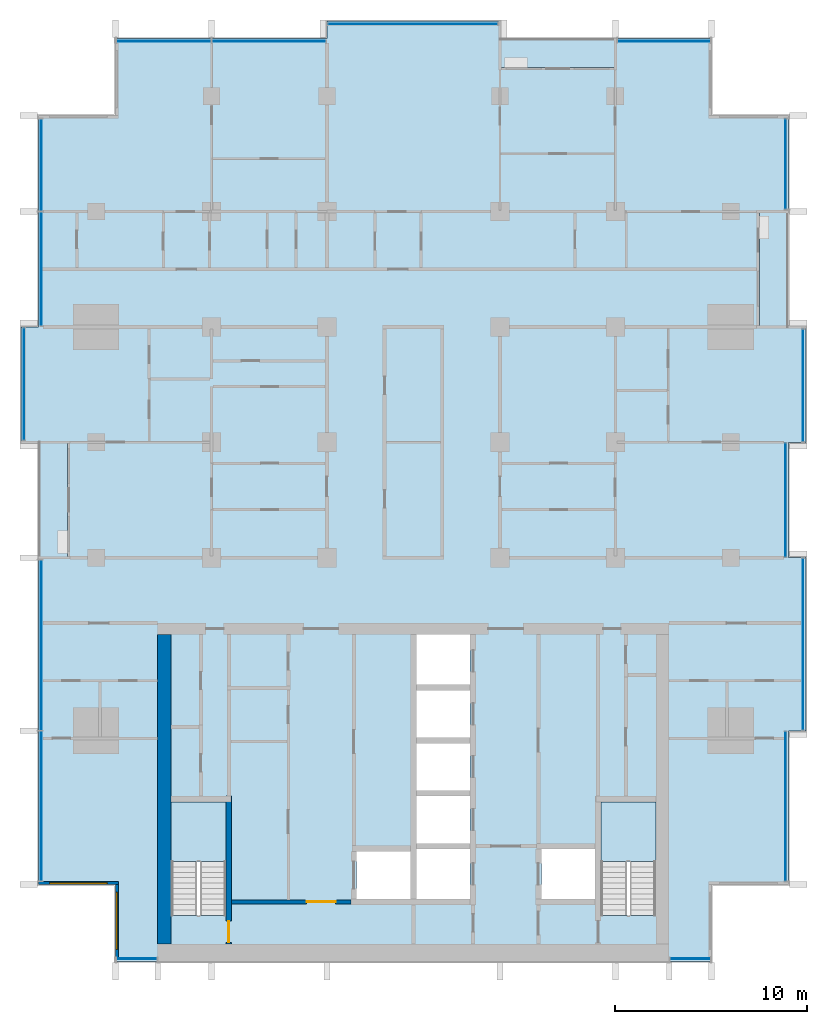
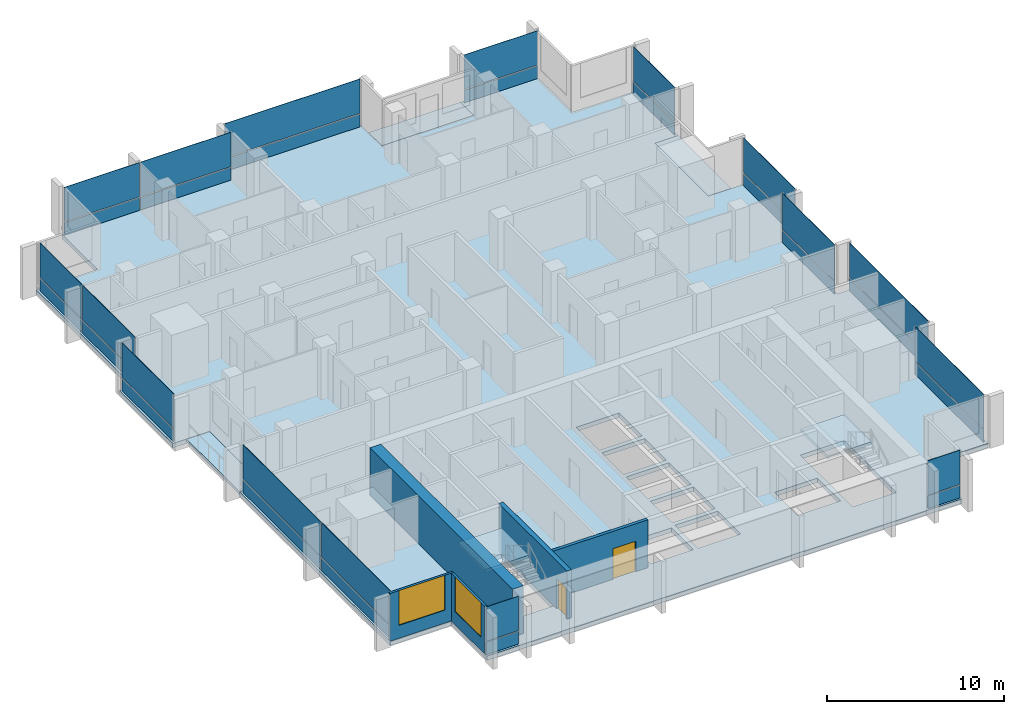
# One storey, part 6 of 17: 32 plates, 6 slabs, 5 walls, 2 doors, 2 windows, 4 openings, 15 elements without a shape of their own.
"""IFC4 building model written with IfcOpenShell, lengths in metres."""

from ifc_helpers import new_model, si_unit, direction, frame, frame_2d, origin, origin_2d, place, context, subcontext, project, spatial, polyline, rectangle, outline, extrude, material, layer, layer_set, type_object, element, fill, aggregate, save


model = new_model("IFC4")

# Units and contexts
model_context = context("Model", 3, precision=1e-05, world=origin(), true_north=direction((0.0, 1.0)))
body_context = subcontext(model_context, "Body", "Model", "MODEL_VIEW")
ifc_project = project(units=[si_unit("LENGTHUNIT", "METRE"), si_unit("AREAUNIT", "SQUARE_METRE"), si_unit("VOLUMEUNIT", "CUBIC_METRE"), si_unit("PLANEANGLEUNIT", "RADIAN"), si_unit("MASSUNIT", "GRAM", prefix="KILO")], contexts=[model_context])

# Site, building, storey
site_placement = place(None, origin())
site = spatial("IfcSite", under=ifc_project, at=site_placement, CompositionType="ELEMENT")
building_placement = place(site_placement, origin())
building = spatial("IfcBuilding", under=site, at=building_placement, Name="Finial Court Residences", CompositionType="ELEMENT")
storey_placement = place(building_placement, frame((0.0, 0.0, 192.5)))
storey = spatial("IfcBuildingStorey", under=building, at=storey_placement, Name="L48", CompositionType="ELEMENT", Elevation=192.5)

# Slabs
ifc_material_1 = material(Name="Concrete C35/45", Category="concrete")
ifc_layer_1 = layer(ifc_material_1, 0.199951171875)
ifc_layer_set_1 = layer_set([ifc_layer_1], Name="Balcony slab, Concrete C35/45 200")
slab_type_1 = type_object("IfcSlabType", Name="Balcony slab, Concrete C35/45 200", PredefinedType="FLOOR", material=ifc_layer_set_1)
slab_1_placement = place(storey_placement, frame((0.0, 0.0, -0.199951171875)))
element("IfcSlab", 1, at=slab_1_placement, inside=storey, type_object=slab_type_1, Name="Balcony L48-N4", PredefinedType="FLOOR", context=body_context, shape_type="SweptSolid", body=[
    extrude(outline(polyline([(10.5, 21.0), (10.5, 22.5), (4.5, 22.5), (4.5, 21.0), (10.5, 21.0)])), origin(), (0.0, 0.0, 1.0), 0.199951171875),
])
slab_2_placement = place(storey_placement, frame((0.0, 0.0, -0.199951171875)))
element("IfcSlab", 2, at=slab_2_placement, inside=storey, type_object=slab_type_1, Name="Balcony L48-E5", PredefinedType="FLOOR", context=body_context, shape_type="SweptSolid", body=[
    extrude(outline(polyline([(19.5, 7.5), (19.5, 13.5), (18.0, 13.5), (18.0, 7.5), (19.5, 7.5)])), origin(), (0.0, 0.0, 1.0), 0.199951171875),
])
slab_3_placement = place(storey_placement, frame((0.0, 0.0, -0.199951171875)))
element("IfcSlab", 3, at=slab_3_placement, inside=storey, type_object=slab_type_1, Name="Balcony L48-W3", PredefinedType="FLOOR", context=body_context, shape_type="SweptSolid", body=[
    extrude(outline(polyline([(-18.0, -4.5), (-18.0, 1.5), (-19.5, 1.5), (-19.5, -4.5), (-18.0, -4.5)])), origin(), (0.0, 0.0, 1.0), 0.199951171875),
])

# Curtain wall, plates
ifc_material_2 = material(Name="Bronze anodised aluminium", Category="aluminium")
curtain_wall_type = type_object("IfcCurtainWallType", Name="Unitised curtain wall, upper zones", PredefinedType="NOTDEFINED", material=ifc_material_2)
curtain_wall_1_placement = place(storey_placement, origin())
curtain_wall_1 = element("IfcCurtainWall", 4, at=curtain_wall_1_placement, inside=storey, type_object=curtain_wall_type, Name="E-L48-CW-N1", PredefinedType="NOTDEFINED")
ifc_layer_2 = layer(ifc_material_2, 0.035888671875)
ifc_layer_set_2 = layer_set([ifc_layer_2], Name="CW2 spandrel panel 36")
plate_type_1 = type_object("IfcPlateType", Name="CW2 spandrel panel 36", PredefinedType="CURTAIN_PANEL", material=ifc_layer_set_2)
plate_1_placement = place(storey_placement, frame((-12.985107421875, 22.35009765625, 0.0), z_axis=(0.0, 0.0, 1.0), x_axis=(1.0, 0.0, 0.0)))
plate_1 = element("IfcPlate", 5, at=plate_1_placement, type_object=plate_type_1, Name="CW2 spandrel 1.1", PredefinedType="CURTAIN_PANEL", context=body_context, shape_type="SweptSolid", body=[
    extrude(rectangle(XDim=4.909912109375, YDim=0.035888671875, at=origin_2d()), origin(), (0.0, 0.0, 1.0), 0.8701171875),
])
plate_2_placement = place(storey_placement, frame((-7.514892578125, 22.35009765625, 0.0), z_axis=(0.0, 0.0, 1.0), x_axis=(1.0, 0.0, 0.0)))
plate_2 = element("IfcPlate", 6, at=plate_2_placement, type_object=plate_type_1, Name="CW2 spandrel 2.1", PredefinedType="CURTAIN_PANEL", context=body_context, shape_type="SweptSolid", body=[
    extrude(rectangle(XDim=5.909912109375, YDim=0.035888671875, at=origin_2d()), origin(), (0.0, 0.0, 1.0), 0.8701171875),
])

# Curtain wall, plate
curtain_wall_2_placement = place(storey_placement, origin())
curtain_wall_2 = element("IfcCurtainWall", 7, at=curtain_wall_2_placement, inside=storey, type_object=curtain_wall_type, Name="E-L48-CW-N2", PredefinedType="NOTDEFINED")
plate_3_placement = place(storey_placement, frame((-0.03759765625, 23.25, 0.0), z_axis=(0.0, 0.0, 1.0), x_axis=(1.0, 0.0, 0.0)))
plate_3 = element("IfcPlate", 8, at=plate_3_placement, type_object=plate_type_1, Name="CW2 spandrel 1.1", PredefinedType="CURTAIN_PANEL", context=body_context, shape_type="SweptSolid", body=[
    extrude(rectangle(XDim=8.804931640625, YDim=0.035888671875, at=origin_2d()), origin(), (0.0, 0.0, 1.0), 0.8701171875),
])

curtain_wall_3_placement = place(storey_placement, origin())
curtain_wall_3 = element("IfcCurtainWall", 9, at=curtain_wall_3_placement, inside=storey, type_object=curtain_wall_type, Name="E-L48-CW-N3", PredefinedType="NOTDEFINED")
plate_4_placement = place(storey_placement, frame((13.03759765625, 22.35009765625, 0.0), z_axis=(0.0, 0.0, 1.0), x_axis=(1.0, 0.0, 0.0)))
plate_4 = element("IfcPlate", 10, at=plate_4_placement, type_object=plate_type_1, Name="CW2 spandrel 1.1", PredefinedType="CURTAIN_PANEL", context=body_context, shape_type="SweptSolid", body=[
    extrude(rectangle(XDim=4.804931640625, YDim=0.035888671875, at=origin_2d()), origin(), (0.0, 0.0, 1.0), 0.8701171875),
])

curtain_wall_4_placement = place(storey_placement, origin())
curtain_wall_4 = element("IfcCurtainWall", 11, at=curtain_wall_4_placement, inside=storey, type_object=curtain_wall_type, Name="E-L48-CW-E4", PredefinedType="NOTDEFINED")
plate_5_placement = place(storey_placement, frame((19.35009765625, -17.425048828125, 0.0), z_axis=(0.0, 0.0, 1.0), x_axis=(0.0, 1.0, 0.0)))
plate_5 = element("IfcPlate", 12, at=plate_5_placement, type_object=plate_type_1, Name="CW2 spandrel 1.1", PredefinedType="CURTAIN_PANEL", context=body_context, shape_type="SweptSolid", body=[
    extrude(rectangle(XDim=7.72998046875, YDim=0.035888671875, at=origin_2d()), origin(), (0.0, 0.0, 1.0), 0.8701171875),
])

curtain_wall_5_placement = place(storey_placement, origin())
curtain_wall_5 = element("IfcCurtainWall", 13, at=curtain_wall_5_placement, inside=storey, type_object=curtain_wall_type, Name="E-L48-CW-E5", PredefinedType="NOTDEFINED")
plate_6_placement = place(storey_placement, frame((20.25, -9.0, 0.0), z_axis=(0.0, 0.0, 1.0), x_axis=(0.0, 1.0, 0.0)))
plate_6 = element("IfcPlate", 14, at=plate_6_placement, type_object=plate_type_1, Name="CW2 spandrel 1.1", PredefinedType="CURTAIN_PANEL", context=body_context, shape_type="SweptSolid", body=[
    extrude(rectangle(XDim=8.8798828125, YDim=0.035888671875, at=origin_2d()), origin(), (0.0, 0.0, 1.0), 0.8701171875),
])

curtain_wall_6_placement = place(storey_placement, origin())
curtain_wall_6 = element("IfcCurtainWall", 15, at=curtain_wall_6_placement, inside=storey, type_object=curtain_wall_type, Name="E-L48-CW-E6", PredefinedType="NOTDEFINED")
plate_7_placement = place(storey_placement, frame((19.35009765625, -1.5, 0.0), z_axis=(0.0, 0.0, 1.0), x_axis=(0.0, 1.0, 0.0)))
plate_7 = element("IfcPlate", 16, at=plate_7_placement, type_object=plate_type_1, Name="CW2 spandrel 1.1", PredefinedType="CURTAIN_PANEL", context=body_context, shape_type="SweptSolid", body=[
    extrude(rectangle(XDim=5.8798828125, YDim=0.035888671875, at=origin_2d()), origin(), (0.0, 0.0, 1.0), 0.8701171875),
])

curtain_wall_7_placement = place(storey_placement, origin())
curtain_wall_7 = element("IfcCurtainWall", 17, at=curtain_wall_7_placement, inside=storey, type_object=curtain_wall_type, Name="E-L48-CW-E7", PredefinedType="NOTDEFINED")
plate_8_placement = place(storey_placement, frame((20.25, 4.46240234375, 0.0), z_axis=(0.0, 0.0, 1.0), x_axis=(0.0, 1.0, 0.0)))
plate_8 = element("IfcPlate", 18, at=plate_8_placement, type_object=plate_type_1, Name="CW2 spandrel 1.1", PredefinedType="CURTAIN_PANEL", context=body_context, shape_type="SweptSolid", body=[
    extrude(rectangle(XDim=5.804931640625, YDim=0.035888671875, at=origin_2d()), origin(), (0.0, 0.0, 1.0), 0.8701171875),
])

curtain_wall_8_placement = place(storey_placement, origin())
curtain_wall_8 = element("IfcCurtainWall", 19, at=curtain_wall_8_placement, inside=storey, type_object=curtain_wall_type, Name="E-L48-CW-E8", PredefinedType="NOTDEFINED")
plate_9_placement = place(storey_placement, frame((19.35009765625, 15.96240234375, 0.0), z_axis=(0.0, 0.0, 1.0), x_axis=(0.0, 1.0, 0.0)))
plate_9 = element("IfcPlate", 20, at=plate_9_placement, type_object=plate_type_1, Name="CW2 spandrel 1.1", PredefinedType="CURTAIN_PANEL", context=body_context, shape_type="SweptSolid", body=[
    extrude(rectangle(XDim=4.655029296875, YDim=0.035888671875, at=origin_2d()), origin(), (0.0, 0.0, 1.0), 0.8701171875),
])

curtain_wall_9_placement = place(storey_placement, origin())
curtain_wall_9 = element("IfcCurtainWall", 21, at=curtain_wall_9_placement, inside=storey, type_object=curtain_wall_type, Name="E-L48-CW-S9", PredefinedType="NOTDEFINED")
plate_10_placement = place(storey_placement, frame((-14.39990234375, -25.35009765625, 0.0), z_axis=(0.0, 0.0, 1.0), x_axis=(1.0, 0.0, 0.0)))
plate_10 = element("IfcPlate", 22, at=plate_10_placement, type_object=plate_type_1, Name="CW2 spandrel 1.1", PredefinedType="CURTAIN_PANEL", context=body_context, shape_type="SweptSolid", body=[
    extrude(rectangle(XDim=2.080078125, YDim=0.035888671875, at=origin_2d()), origin(), (0.0, 0.0, 1.0), 0.8701171875),
])

curtain_wall_10_placement = place(storey_placement, origin())
curtain_wall_10 = element("IfcCurtainWall", 23, at=curtain_wall_10_placement, inside=storey, type_object=curtain_wall_type, Name="E-L48-CW-S10", PredefinedType="NOTDEFINED")
plate_11_placement = place(storey_placement, frame((14.39990234375, -25.35009765625, 0.0), z_axis=(0.0, 0.0, 1.0), x_axis=(1.0, 0.0, 0.0)))
plate_11 = element("IfcPlate", 24, at=plate_11_placement, type_object=plate_type_1, Name="CW2 spandrel 1.1", PredefinedType="CURTAIN_PANEL", context=body_context, shape_type="SweptSolid", body=[
    extrude(rectangle(XDim=2.080078125, YDim=0.035888671875, at=origin_2d()), origin(), (0.0, 0.0, 1.0), 0.8701171875),
])

# Curtain wall, plates
curtain_wall_11_placement = place(storey_placement, origin())
curtain_wall_11 = element("IfcCurtainWall", 25, at=curtain_wall_11_placement, inside=storey, type_object=curtain_wall_type, Name="E-L48-CW-W11", PredefinedType="NOTDEFINED")
plate_12_placement = place(storey_placement, frame((-19.35009765625, -17.409912109375, 0.0), z_axis=(0.0, 0.0, 1.0), x_axis=(0.0, 1.0, 0.0)))
plate_12 = element("IfcPlate", 26, at=plate_12_placement, type_object=plate_type_1, Name="CW2 spandrel 1.1", PredefinedType="CURTAIN_PANEL", context=body_context, shape_type="SweptSolid", body=[
    extrude(rectangle(XDim=7.760009765625, YDim=0.035888671875, at=origin_2d()), origin(), (0.0, 0.0, 1.0), 0.8701171875),
])
plate_13_placement = place(storey_placement, frame((-19.35009765625, -9.052490234375, 0.0), z_axis=(0.0, 0.0, 1.0), x_axis=(0.0, 1.0, 0.0)))
plate_13 = element("IfcPlate", 27, at=plate_13_placement, type_object=plate_type_1, Name="CW2 spandrel 2.1", PredefinedType="CURTAIN_PANEL", context=body_context, shape_type="SweptSolid", body=[
    extrude(rectangle(XDim=8.8349609375, YDim=0.035888671875, at=origin_2d()), origin(), (0.0, 0.0, 1.0), 0.8701171875),
])

# Curtain wall, plate
curtain_wall_12_placement = place(storey_placement, origin())
curtain_wall_12 = element("IfcCurtainWall", 28, at=curtain_wall_12_placement, inside=storey, type_object=curtain_wall_type, Name="E-L48-CW-W12", PredefinedType="NOTDEFINED")
plate_14_placement = place(storey_placement, frame((-20.25, 4.53759765625, 0.0), z_axis=(0.0, 0.0, 1.0), x_axis=(0.0, 1.0, 0.0)))
plate_14 = element("IfcPlate", 29, at=plate_14_placement, type_object=plate_type_1, Name="CW2 spandrel 1.1", PredefinedType="CURTAIN_PANEL", context=body_context, shape_type="SweptSolid", body=[
    extrude(rectangle(XDim=5.804931640625, YDim=0.035888671875, at=origin_2d()), origin(), (0.0, 0.0, 1.0), 0.8701171875),
])

# Curtain wall, plates
curtain_wall_13_placement = place(storey_placement, origin())
curtain_wall_13 = element("IfcCurtainWall", 30, at=curtain_wall_13_placement, inside=storey, type_object=curtain_wall_type, Name="E-L48-CW-W13", PredefinedType="NOTDEFINED")
plate_15_placement = place(storey_placement, frame((-19.35009765625, 10.514892578125, 0.0), z_axis=(0.0, 0.0, 1.0), x_axis=(0.0, 1.0, 0.0)))
plate_15 = element("IfcPlate", 31, at=plate_15_placement, type_object=plate_type_1, Name="CW2 spandrel 1.1", PredefinedType="CURTAIN_PANEL", context=body_context, shape_type="SweptSolid", body=[
    extrude(rectangle(XDim=5.909912109375, YDim=0.035888671875, at=origin_2d()), origin(), (0.0, 0.0, 1.0), 0.8701171875),
])
plate_16_placement = place(storey_placement, frame((-19.35009765625, 15.909912109375, 0.0), z_axis=(0.0, 0.0, 1.0), x_axis=(0.0, 1.0, 0.0)))
plate_16 = element("IfcPlate", 32, at=plate_16_placement, type_object=plate_type_1, Name="CW2 spandrel 2.1", PredefinedType="CURTAIN_PANEL", context=body_context, shape_type="SweptSolid", body=[
    extrude(rectangle(XDim=4.760009765625, YDim=0.035888671875, at=origin_2d()), origin(), (0.0, 0.0, 1.0), 0.8701171875),
])

# Plate
ifc_material_3 = material(Name="Clear low-e glass", Category="glass")
ifc_layer_3 = layer(ifc_material_3, 0.030029296875)
ifc_layer_set_3 = layer_set([ifc_layer_3], Name="CW2 vision glass 30")
plate_type_2 = type_object("IfcPlateType", Name="CW2 vision glass 30", PredefinedType="CURTAIN_PANEL", material=ifc_layer_set_3)
plate_17_placement = place(storey_placement, frame((-12.985107421875, 22.35009765625, 0.929931640625), z_axis=(0.0, 0.0, 1.0), x_axis=(1.0, 0.0, 0.0)))
plate_17 = element("IfcPlate", 33, at=plate_17_placement, type_object=plate_type_2, Name="CW2 glass 1.2", PredefinedType="CURTAIN_PANEL", context=body_context, shape_type="SweptSolid", body=[
    extrude(rectangle(XDim=4.909912109375, YDim=0.030029296875, at=origin_2d()), origin(), (0.0, 0.0, 1.0), 2.3701171875),
])

plate_18_placement = place(storey_placement, frame((-7.514892578125, 22.35009765625, 0.929931640625), z_axis=(0.0, 0.0, 1.0), x_axis=(1.0, 0.0, 0.0)))
plate_18 = element("IfcPlate", 34, at=plate_18_placement, type_object=plate_type_2, Name="CW2 glass 2.2", PredefinedType="CURTAIN_PANEL", context=body_context, shape_type="SweptSolid", body=[
    extrude(rectangle(XDim=5.909912109375, YDim=0.030029296875, at=origin_2d()), origin(), (0.0, 0.0, 1.0), 2.3701171875),
])

aggregate(curtain_wall_1, [plate_1, plate_17, plate_2, plate_18])

plate_19_placement = place(storey_placement, frame((-0.03759765625, 23.25, 0.929931640625), z_axis=(0.0, 0.0, 1.0), x_axis=(1.0, 0.0, 0.0)))
plate_19 = element("IfcPlate", 35, at=plate_19_placement, type_object=plate_type_2, Name="CW2 glass 1.2", PredefinedType="CURTAIN_PANEL", context=body_context, shape_type="SweptSolid", body=[
    extrude(rectangle(XDim=8.804931640625, YDim=0.030029296875, at=origin_2d()), origin(), (0.0, 0.0, 1.0), 2.3701171875),
])

aggregate(curtain_wall_2, [plate_3, plate_19])

plate_20_placement = place(storey_placement, frame((13.03759765625, 22.35009765625, 0.929931640625), z_axis=(0.0, 0.0, 1.0), x_axis=(1.0, 0.0, 0.0)))
plate_20 = element("IfcPlate", 36, at=plate_20_placement, type_object=plate_type_2, Name="CW2 glass 1.2", PredefinedType="CURTAIN_PANEL", context=body_context, shape_type="SweptSolid", body=[
    extrude(rectangle(XDim=4.804931640625, YDim=0.030029296875, at=origin_2d()), origin(), (0.0, 0.0, 1.0), 2.3701171875),
])

aggregate(curtain_wall_3, [plate_4, plate_20])

plate_21_placement = place(storey_placement, frame((19.35009765625, -17.425048828125, 0.929931640625), z_axis=(0.0, 0.0, 1.0), x_axis=(0.0, 1.0, 0.0)))
plate_21 = element("IfcPlate", 37, at=plate_21_placement, type_object=plate_type_2, Name="CW2 glass 1.2", PredefinedType="CURTAIN_PANEL", context=body_context, shape_type="SweptSolid", body=[
    extrude(rectangle(XDim=7.72998046875, YDim=0.030029296875, at=origin_2d()), origin(), (0.0, 0.0, 1.0), 2.3701171875),
])

aggregate(curtain_wall_4, [plate_5, plate_21])

plate_22_placement = place(storey_placement, frame((20.25, -9.0, 0.929931640625), z_axis=(0.0, 0.0, 1.0), x_axis=(0.0, 1.0, 0.0)))
plate_22 = element("IfcPlate", 38, at=plate_22_placement, type_object=plate_type_2, Name="CW2 glass 1.2", PredefinedType="CURTAIN_PANEL", context=body_context, shape_type="SweptSolid", body=[
    extrude(rectangle(XDim=8.8798828125, YDim=0.030029296875, at=origin_2d()), origin(), (0.0, 0.0, 1.0), 2.3701171875),
])

aggregate(curtain_wall_5, [plate_6, plate_22])

plate_23_placement = place(storey_placement, frame((19.35009765625, -1.5, 0.93017578125), z_axis=(0.0, 0.0, 1.0), x_axis=(0.0, 1.0, 0.0)))
plate_23 = element("IfcPlate", 39, at=plate_23_placement, type_object=plate_type_2, Name="CW2 glass 1.2", PredefinedType="CURTAIN_PANEL", context=body_context, shape_type="SweptSolid", body=[
    extrude(rectangle(XDim=5.8798828125, YDim=0.030029296875, at=origin_2d()), origin(), (0.0, 0.0, 1.0), 2.469970703125),
])

aggregate(curtain_wall_6, [plate_7, plate_23])

plate_24_placement = place(storey_placement, frame((20.25, 4.46240234375, 0.929931640625), z_axis=(0.0, 0.0, 1.0), x_axis=(0.0, 1.0, 0.0)))
plate_24 = element("IfcPlate", 40, at=plate_24_placement, type_object=plate_type_2, Name="CW2 glass 1.2", PredefinedType="CURTAIN_PANEL", context=body_context, shape_type="SweptSolid", body=[
    extrude(rectangle(XDim=5.804931640625, YDim=0.030029296875, at=origin_2d()), origin(), (0.0, 0.0, 1.0), 2.3701171875),
])

aggregate(curtain_wall_7, [plate_8, plate_24])

plate_25_placement = place(storey_placement, frame((19.35009765625, 15.96240234375, 0.929931640625), z_axis=(0.0, 0.0, 1.0), x_axis=(0.0, 1.0, 0.0)))
plate_25 = element("IfcPlate", 41, at=plate_25_placement, type_object=plate_type_2, Name="CW2 glass 1.2", PredefinedType="CURTAIN_PANEL", context=body_context, shape_type="SweptSolid", body=[
    extrude(rectangle(XDim=4.655029296875, YDim=0.030029296875, at=origin_2d()), origin(), (0.0, 0.0, 1.0), 2.3701171875),
])

aggregate(curtain_wall_8, [plate_9, plate_25])

plate_26_placement = place(storey_placement, frame((-14.39990234375, -25.35009765625, 0.929931640625), z_axis=(0.0, 0.0, 1.0), x_axis=(1.0, 0.0, 0.0)))
plate_26 = element("IfcPlate", 42, at=plate_26_placement, type_object=plate_type_2, Name="CW2 glass 1.2", PredefinedType="CURTAIN_PANEL", context=body_context, shape_type="SweptSolid", body=[
    extrude(rectangle(XDim=2.080078125, YDim=0.030029296875, at=origin_2d()), origin(), (0.0, 0.0, 1.0), 2.3701171875),
])

aggregate(curtain_wall_9, [plate_10, plate_26])

plate_27_placement = place(storey_placement, frame((14.39990234375, -25.35009765625, 0.929931640625), z_axis=(0.0, 0.0, 1.0), x_axis=(1.0, 0.0, 0.0)))
plate_27 = element("IfcPlate", 43, at=plate_27_placement, type_object=plate_type_2, Name="CW2 glass 1.2", PredefinedType="CURTAIN_PANEL", context=body_context, shape_type="SweptSolid", body=[
    extrude(rectangle(XDim=2.080078125, YDim=0.030029296875, at=origin_2d()), origin(), (0.0, 0.0, 1.0), 2.3701171875),
])

aggregate(curtain_wall_10, [plate_11, plate_27])

plate_28_placement = place(storey_placement, frame((-19.35009765625, -17.409912109375, 0.929931640625), z_axis=(0.0, 0.0, 1.0), x_axis=(0.0, 1.0, 0.0)))
plate_28 = element("IfcPlate", 44, at=plate_28_placement, type_object=plate_type_2, Name="CW2 glass 1.2", PredefinedType="CURTAIN_PANEL", context=body_context, shape_type="SweptSolid", body=[
    extrude(rectangle(XDim=7.760009765625, YDim=0.030029296875, at=origin_2d()), origin(), (0.0, 0.0, 1.0), 2.3701171875),
])

plate_29_placement = place(storey_placement, frame((-19.35009765625, -9.052490234375, 0.929931640625), z_axis=(0.0, 0.0, 1.0), x_axis=(0.0, 1.0, 0.0)))
plate_29 = element("IfcPlate", 45, at=plate_29_placement, type_object=plate_type_2, Name="CW2 glass 2.2", PredefinedType="CURTAIN_PANEL", context=body_context, shape_type="SweptSolid", body=[
    extrude(rectangle(XDim=8.8349609375, YDim=0.030029296875, at=origin_2d()), origin(), (0.0, 0.0, 1.0), 2.3701171875),
])

aggregate(curtain_wall_11, [plate_12, plate_28, plate_13, plate_29])

plate_30_placement = place(storey_placement, frame((-20.25, 4.53759765625, 0.929931640625), z_axis=(0.0, 0.0, 1.0), x_axis=(0.0, 1.0, 0.0)))
plate_30 = element("IfcPlate", 46, at=plate_30_placement, type_object=plate_type_2, Name="CW2 glass 1.2", PredefinedType="CURTAIN_PANEL", context=body_context, shape_type="SweptSolid", body=[
    extrude(rectangle(XDim=5.804931640625, YDim=0.030029296875, at=origin_2d()), origin(), (0.0, 0.0, 1.0), 2.3701171875),
])

aggregate(curtain_wall_12, [plate_14, plate_30])

plate_31_placement = place(storey_placement, frame((-19.35009765625, 10.514892578125, 0.929931640625), z_axis=(0.0, 0.0, 1.0), x_axis=(0.0, 1.0, 0.0)))
plate_31 = element("IfcPlate", 47, at=plate_31_placement, type_object=plate_type_2, Name="CW2 glass 1.2", PredefinedType="CURTAIN_PANEL", context=body_context, shape_type="SweptSolid", body=[
    extrude(rectangle(XDim=5.909912109375, YDim=0.030029296875, at=origin_2d()), origin(), (0.0, 0.0, 1.0), 2.3701171875),
])

plate_32_placement = place(storey_placement, frame((-19.35009765625, 15.909912109375, 0.929931640625), z_axis=(0.0, 0.0, 1.0), x_axis=(0.0, 1.0, 0.0)))
plate_32 = element("IfcPlate", 48, at=plate_32_placement, type_object=plate_type_2, Name="CW2 glass 2.2", PredefinedType="CURTAIN_PANEL", context=body_context, shape_type="SweptSolid", body=[
    extrude(rectangle(XDim=4.760009765625, YDim=0.030029296875, at=origin_2d()), origin(), (0.0, 0.0, 1.0), 2.3701171875),
])

aggregate(curtain_wall_13, [plate_15, plate_31, plate_16, plate_32])

# Stair, slab
ifc_material_4 = material(Name="Concrete C50/60", Category="concrete")
stair_type = type_object("IfcStairType", Name="Exit stair 22 risers of 163.6 mm", PredefinedType="HALF_TURN_STAIR", material=ifc_material_4)
stair_1_placement = place(storey_placement, origin())
stair_1 = element("IfcStair", 49, at=stair_1_placement, inside=storey, type_object=stair_type, Name="L48 Exit stair ST-1", PredefinedType="HALF_TURN_STAIR")
ifc_layer_4 = layer(ifc_material_4, 0.199951171875)
ifc_layer_set_4 = layer_set([ifc_layer_4], Name="Exit stair landing")
slab_type_2 = type_object("IfcSlabType", Name="Exit stair landing", PredefinedType="LANDING", material=ifc_layer_set_4)
slab_4_placement = place(storey_placement, frame((0.0, 0.0, 1.60009765625)))
slab_4 = element("IfcSlab", 50, at=slab_4_placement, type_object=slab_type_2, Name="ST-1 landing 1", PredefinedType="LANDING", context=body_context, shape_type="SweptSolid", body=[
    extrude(outline(polyline([(-9.75, -20.300048828125), (-9.75, -17.199951171875), (-12.60009765625, -17.199951171875), (-12.60009765625, -20.300048828125), (-9.75, -20.300048828125)])), origin(), (0.0, 0.0, 1.0), 0.199951171875),
])
aggregate(stair_1, [slab_4])

stair_2_placement = place(storey_placement, origin())
stair_2 = element("IfcStair", 51, at=stair_2_placement, inside=storey, type_object=stair_type, Name="L48 Exit stair ST-2", PredefinedType="HALF_TURN_STAIR")
slab_5_placement = place(storey_placement, frame((0.0, 0.0, 1.60009765625)))
slab_5 = element("IfcSlab", 52, at=slab_5_placement, type_object=slab_type_2, Name="ST-2 landing 1", PredefinedType="LANDING", context=body_context, shape_type="SweptSolid", body=[
    extrude(outline(polyline([(12.60009765625, -20.300048828125), (12.60009765625, -17.199951171875), (9.75, -17.199951171875), (9.75, -20.300048828125), (12.60009765625, -20.300048828125)])), origin(), (0.0, 0.0, 1.0), 0.199951171875),
])
aggregate(stair_2, [slab_5])

# Slab
ifc_material_5 = material(Name="Concrete C40/50", Category="concrete")
ifc_layer_5 = layer(ifc_material_5, 0.300048828125)
ifc_layer_set_5 = layer_set([ifc_layer_5], Name="Flat plate slab 300 Concrete C40/50")
slab_type_3 = type_object("IfcSlabType", Name="Flat plate slab 300 Concrete C40/50", PredefinedType="FLOOR", material=ifc_layer_set_5)
slab_6_placement = place(storey_placement, frame((0.0, 0.0, -0.300048828125)))
element("IfcSlab", 53, at=slab_6_placement, inside=storey, type_object=slab_type_3, Name="S:SLAB:L48", PredefinedType="FLOOR", context=body_context, shape_type="SweptSolid", body=[
    extrude(outline(polyline([(19.5, -21.5), (15.5, -21.5), (15.5, -25.5), (-15.5, -25.5), (-15.5, -21.5), (-19.5, -21.5), (-19.5, -4.5), (-18.0, -4.5), (-18.0, 1.5), (-19.5, 1.5), (-20.39990234375, 1.5), (-20.39990234375, 7.5), (-19.5, 7.5), (-19.5, 18.5), (-15.5, 18.5), (-15.5, 22.5), (-4.5, 22.5), (-4.5, 23.39990234375), (4.5, 23.39990234375), (4.5, 22.5), (4.5, 21.0), (10.5, 21.0), (10.5, 22.5), (15.5, 22.5), (15.5, 18.5), (19.5, 18.5), (19.5, 13.5), (18.0, 13.5), (18.0, 7.5), (19.5, 7.5), (20.39990234375, 7.5), (20.39990234375, 1.5), (19.5, 1.5), (19.5, -4.5), (20.39990234375, -4.5), (20.39990234375, -13.5), (19.5, -13.5), (19.5, -21.5)]), holes=[polyline([(-0.14990234375, -19.77001953125), (-2.949951171875, -19.77001953125), (-2.949951171875, -22.25), (-0.14990234375, -22.25), (-0.14990234375, -19.77001953125)]), polyline([(2.949951171875, -19.64990234375), (0.14990234375, -19.64990234375), (0.14990234375, -22.25), (2.949951171875, -22.25), (2.949951171875, -19.64990234375)]), polyline([(9.449951171875, -19.64990234375), (6.64990234375, -19.64990234375), (6.64990234375, -22.25), (9.449951171875, -22.25), (9.449951171875, -19.64990234375)]), polyline([(-12.60009765625, -17.199951171875), (-12.60009765625, -23.09912109375), (-9.75, -23.09912109375), (-9.75, -17.199951171875), (-12.60009765625, -17.199951171875)]), polyline([(9.75, -17.199951171875), (9.75, -23.09912109375), (12.60009765625, -23.09912109375), (12.60009765625, -17.199951171875), (9.75, -17.199951171875)]), polyline([(2.949951171875, -16.89990234375), (0.14990234375, -16.89990234375), (0.14990234375, -19.35009765625), (2.949951171875, -19.35009765625), (2.949951171875, -16.89990234375)]), polyline([(2.949951171875, -14.14990234375), (0.14990234375, -14.14990234375), (0.14990234375, -16.60009765625), (2.949951171875, -16.60009765625), (2.949951171875, -14.14990234375)]), polyline([(2.949951171875, -13.85009765625), (2.949951171875, -11.39990234375), (0.14990234375, -11.39990234375), (0.14990234375, -13.85009765625), (2.949951171875, -13.85009765625)]), polyline([(2.949951171875, -11.10009765625), (2.949951171875, -8.5), (0.14990234375, -8.5), (0.14990234375, -11.10009765625), (2.949951171875, -11.10009765625)])]), origin(), (0.0, 0.0, 1.0), 0.300048828125),
])

# Wall
ifc_material_6 = material(Name="Concrete C70/85", Category="concrete")
ifc_layer_6 = layer(ifc_material_6, 0.699951171875)
ifc_layer_set_6 = layer_set([ifc_layer_6], Name="Core outer wall 700 Concrete C70/85")
wall_type_1 = type_object("IfcWallType", Name="Core outer wall 700 Concrete C70/85", PredefinedType="SHEAR", material=ifc_layer_set_6)
wall_1_placement = place(storey_placement, frame((-12.949951171875, -24.60009765625, 0.0), z_axis=(0.0, 0.0, 1.0), x_axis=(0.0, 1.0, 0.0)))
element("IfcWall", 54, at=wall_1_placement, inside=storey, type_object=wall_type_1, Name="Core outer wall L48-03", PredefinedType="SHEAR", context=body_context, shape_type="SweptSolid", body=[
    extrude(rectangle(XDim=16.10009765625, YDim=0.699951171875, at=frame_2d((8.050048828125, 0.0))), origin(), (0.0, 0.0, 1.0), 3.300048828125),
])

# Wall, opening, door
ifc_layer_7 = layer(ifc_material_6, 0.300048828125)
ifc_layer_set_7 = layer_set([ifc_layer_7], Name="Lift shaft and stair wall 300 Concrete C70/85")
wall_type_2 = type_object("IfcWallType", Name="Lift shaft and stair wall 300 Concrete C70/85", PredefinedType="SHEAR", material=ifc_layer_set_7)
wall_2_placement = place(storey_placement, frame((-9.60009765625, -24.60009765625, 0.0), z_axis=(0.0, 0.0, 1.0), x_axis=(0.0, 1.0, 0.0)))
wall_2 = element("IfcWall", 55, at=wall_2_placement, inside=storey, type_object=wall_type_2, Name="Core wall L48-19", PredefinedType="SHEAR", context=body_context, shape_type="SweptSolid", body=[
    extrude(rectangle(XDim=7.7001953125, YDim=0.300048828125, at=frame_2d((3.85009765625, 0.0))), origin(), (0.0, 0.0, 1.0), 3.300048828125),
])
opening_1_placement = place(wall_2_placement, frame((0.10009765625, 0.0, 0.0)))
opening_1 = element("IfcOpeningElement", 56, at=opening_1_placement, cuts=wall_2, Name="Opening L48-C18", PredefinedType="OPENING", context=body_context, shape_type="SweptSolid", body=[
    extrude(rectangle(XDim=1.10009765625, YDim=2.10009765625, at=frame_2d((0.550048828125, 1.050048828125))), frame((0.0, 0.159912109375, 0.0), z_axis=(0.0, -1.0, 0.0), x_axis=(1.0, 0.0, 0.0)), (0.0, 0.0, 1.0), 0.320068359375),
])
ifc_material_7 = material(Name="Steel fire door", Category="steel")
door_type_1 = type_object("IfcDoorType", Name="Stair door 1100 x 2100 EI 90", OperationType="NOTDEFINED", PredefinedType="DOOR", material=ifc_material_7)
door_1_placement = place(opening_1_placement, origin())
door_1 = element("IfcDoor", 57, at=door_1_placement, inside=storey, type_object=door_type_1, Name="Stair door L48-C18", OperationType="SINGLE_SWING_LEFT", OverallHeight=2.10009765625, OverallWidth=1.10009765625, PredefinedType="DOOR", context=body_context, shape_type="SweptSolid", body=[
    extrude(rectangle(XDim=1.10009765625, YDim=2.10009765625, at=frame_2d((0.550048828125, 1.050048828125))), frame((0.0, 0.02490234375, 0.0), z_axis=(0.0, -1.0, 0.0), x_axis=(1.0, 0.0, 0.0)), (0.0, 0.0, 1.0), 0.050048828125),
])
fill(opening_1, door_1)

# Wall, opening, window
ifc_material_8 = material(Name="Natural limestone", Category="masonry")
ifc_layer_8 = layer(ifc_material_8, 0.14990234375)
ifc_layer_set_8 = layer_set([ifc_layer_8], Name="Limestone clad wall 150")
wall_type_3 = type_object("IfcWallType", Name="Limestone clad wall 150", PredefinedType="SOLIDWALL", material=ifc_layer_set_8)
wall_3_placement = place(storey_placement, frame((-15.425048828125, -25.262451171875, 0.0), z_axis=(0.0, 0.0, 1.0), x_axis=(0.0, 1.0, 0.0)))
wall_3 = element("IfcWall", 58, at=wall_3_placement, inside=storey, type_object=wall_type_3, Name="E-L48-NWW14", PredefinedType="SOLIDWALL", context=body_context, shape_type="SweptSolid", body=[
    extrude(rectangle(XDim=3.762451171875, YDim=0.14990234375, at=frame_2d((1.88134765625, 0.0))), origin(), (0.0, 0.0, 1.0), 3.300048828125),
])
opening_2_placement = place(wall_3_placement, frame((0.401123046875, 0.0, 0.89990234375)))
opening_2 = element("IfcOpeningElement", 59, at=opening_2_placement, cuts=wall_3, Name="Opening WE48-01", PredefinedType="OPENING", context=body_context, shape_type="SweptSolid", body=[
    extrude(rectangle(XDim=2.9599609375, YDim=2.39990234375, at=frame_2d((1.47998046875, 1.199951171875))), frame((0.0, 0.0849609375, 0.0), z_axis=(0.0, -1.0, 0.0), x_axis=(1.0, 0.0, 0.0)), (0.0, 0.0, 1.0), 0.169921875),
])
window_type_1 = type_object("IfcWindowType", Name="Corner window 2960 x 2400", PartitioningType="SINGLE_PANEL", PredefinedType="WINDOW", material=ifc_material_3)
window_1_placement = place(opening_2_placement, origin())
window_1 = element("IfcWindow", 60, at=window_1_placement, inside=storey, type_object=window_type_1, Name="E-L48-NWW14-W1", OverallHeight=2.39990234375, OverallWidth=2.9599609375, PartitioningType="SINGLE_PANEL", PredefinedType="WINDOW", context=body_context, shape_type="SweptSolid", body=[
    extrude(rectangle(XDim=2.9599609375, YDim=2.39990234375, at=frame_2d((1.47998046875, 1.199951171875))), frame((0.0, 0.030029296875, 0.0), z_axis=(0.0, -1.0, 0.0), x_axis=(1.0, 0.0, 0.0)), (0.0, 0.0, 1.0), 0.06005859375),
])
fill(opening_2, window_1)

wall_4_placement = place(storey_placement, frame((-15.35009765625, -21.425048828125, 0.0), z_axis=(0.0, 0.0, 1.0), x_axis=(-1.0, 0.0, 0.0)))
wall_4 = element("IfcWall", 61, at=wall_4_placement, inside=storey, type_object=wall_type_3, Name="E-L48-NWS15", PredefinedType="SOLIDWALL", context=body_context, shape_type="SweptSolid", body=[
    extrude(rectangle(XDim=4.14990234375, YDim=0.14990234375, at=frame_2d((2.074951171875, 0.0))), origin(), (0.0, 0.0, 1.0), 3.300048828125),
])
opening_3_placement = place(wall_4_placement, frame((0.574951171875, 0.0, 0.89990234375)))
opening_3 = element("IfcOpeningElement", 62, at=opening_3_placement, cuts=wall_4, Name="Opening WE48-02", PredefinedType="OPENING", context=body_context, shape_type="SweptSolid", body=[
    extrude(rectangle(XDim=3.0, YDim=2.39990234375, at=frame_2d((1.5, 1.199951171875))), frame((0.0, 0.0849609375, 0.0), z_axis=(0.0, -1.0, 0.0), x_axis=(1.0, 0.0, 0.0)), (0.0, 0.0, 1.0), 0.169921875),
])
window_type_2 = type_object("IfcWindowType", Name="Corner window 3000 x 2400", PartitioningType="SINGLE_PANEL", PredefinedType="WINDOW", material=ifc_material_3)
window_2_placement = place(opening_3_placement, origin())
window_2 = element("IfcWindow", 63, at=window_2_placement, inside=storey, type_object=window_type_2, Name="E-L48-NWS15-W1", OverallHeight=2.39990234375, OverallWidth=3.0, PartitioningType="SINGLE_PANEL", PredefinedType="WINDOW", context=body_context, shape_type="SweptSolid", body=[
    extrude(rectangle(XDim=3.0, YDim=2.39990234375, at=frame_2d((1.5, 1.199951171875))), frame((0.0, 0.030029296875, 0.0), z_axis=(0.0, -1.0, 0.0), x_axis=(1.0, 0.0, 0.0)), (0.0, 0.0, 1.0), 0.06005859375),
])
fill(opening_3, window_2)

# Wall, opening, door
ifc_material_9 = material(Name="Fire-rated gypsum board partition")
ifc_layer_9 = layer(ifc_material_9, 0.199951171875)
ifc_layer_set_9 = layer_set([ifc_layer_9], Name="Stair passage wall 200 EI 180")
wall_type_4 = type_object("IfcWallType", Name="Stair passage wall 200 EI 180", PredefinedType="PARTITIONING", material=ifc_layer_set_9)
wall_5_placement = place(storey_placement, frame((-3.25, -22.39990234375, 0.0), z_axis=(0.0, 0.0, 1.0), x_axis=(-1.0, 0.0, 0.0)))
wall_5 = element("IfcWall", 64, at=wall_5_placement, inside=storey, type_object=wall_type_4, Name="Core partition L48-01", PredefinedType="PARTITIONING", context=body_context, shape_type="SweptSolid", body=[
    extrude(rectangle(XDim=6.199951171875, YDim=0.199951171875, at=frame_2d((3.10009765625, 0.0))), origin(), (0.0, 0.0, 1.0), 3.300048828125),
])
opening_4_placement = place(wall_5_placement, frame((0.800048828125, 0.0, 0.0)))
opening_4 = element("IfcOpeningElement", 65, at=opening_4_placement, cuts=wall_5, Name="Opening L48-C03", PredefinedType="OPENING", context=body_context, shape_type="SweptSolid", body=[
    extrude(rectangle(XDim=1.5, YDim=2.10009765625, at=frame_2d((0.75, 1.050048828125))), frame((0.0, 0.10986328125, 0.0), z_axis=(0.0, -1.0, 0.0), x_axis=(1.0, 0.0, 0.0)), (0.0, 0.0, 1.0), 0.219970703125),
])
door_type_2 = type_object("IfcDoorType", Name="Lift lobby door 1500 x 2100 EI 60", OperationType="DOUBLE_DOOR_SINGLE_SWING", PredefinedType="DOOR", material=ifc_material_7)
door_2_placement = place(opening_4_placement, origin())
door_2 = element("IfcDoor", 66, at=door_2_placement, inside=storey, type_object=door_type_2, Name="Lift lobby door L48-C03", OperationType="DOUBLE_DOOR_SINGLE_SWING", OverallHeight=2.10009765625, OverallWidth=1.5, PredefinedType="DOOR", context=body_context, shape_type="SweptSolid", body=[
    extrude(rectangle(XDim=1.5, YDim=2.10009765625, at=frame_2d((0.75, 1.050048828125))), frame((0.0, 0.02490234375, 0.0), z_axis=(0.0, -1.0, 0.0), x_axis=(1.0, 0.0, 0.0)), (0.0, 0.0, 1.0), 0.050048828125),
])
fill(opening_4, door_2)

save(model, "model.ifc")
